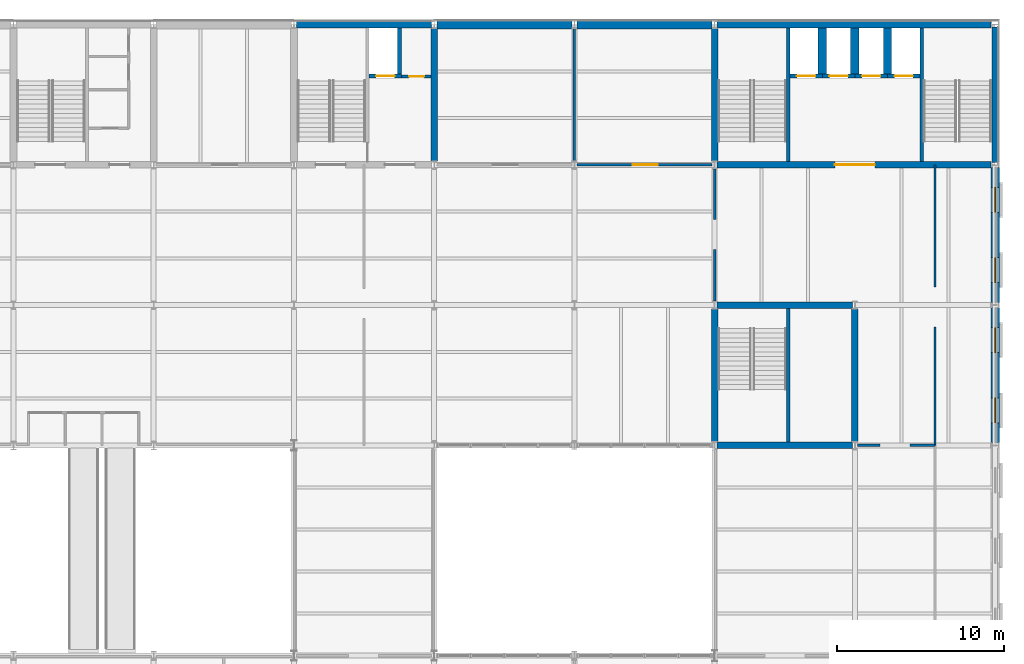
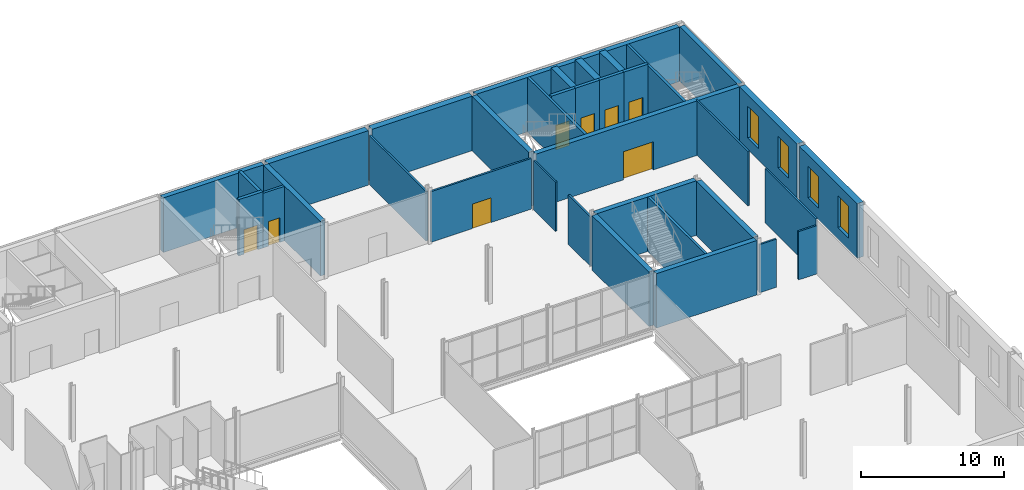
# One storey, part 34 of 52: 35 walls, 8 doors, 4 windows, 12 openings.
"""IFC4 building model written with IfcOpenShell, lengths in metres."""

from ifc_helpers import new_model, si_unit, direction, frame, frame_2d, origin, place, context, subcontext, project, spatial, rectangle, extrude, material, layer, layer_set, type_object, element, fill, save


model = new_model("IFC4")

# Units and contexts
model_context = context("Model", 3, precision=1e-05, world=origin(), true_north=direction((0.0, 1.0)))
body_context = subcontext(model_context, "Body", "Model", "MODEL_VIEW")
ifc_project = project(units=[si_unit("LENGTHUNIT", "METRE"), si_unit("AREAUNIT", "SQUARE_METRE"), si_unit("VOLUMEUNIT", "CUBIC_METRE"), si_unit("PLANEANGLEUNIT", "RADIAN"), si_unit("MASSUNIT", "GRAM", prefix="KILO")], contexts=[model_context])

# Site, building, storey
site_placement = place(None, origin())
site = spatial("IfcSite", under=ifc_project, at=site_placement, CompositionType="ELEMENT")
building_placement = place(site_placement, origin())
building = spatial("IfcBuilding", under=site, at=building_placement, Name="Galleria Vessillo Department Store", CompositionType="ELEMENT")
storey_placement = place(building_placement, frame((0.0, 0.0, 16.199951171875)))
storey = spatial("IfcBuildingStorey", under=building, at=storey_placement, Name="L03", CompositionType="ELEMENT", Elevation=16.199951171875)

# Walls
ifc_material_1 = material(Name="Solid clay block masonry", Category="masonry")
ifc_layer_1 = layer(ifc_material_1, 0.5)
ifc_layer_set_1 = layer_set([ifc_layer_1], Name="Solid clay block masonry")
wall_type_1 = type_object("IfcWallType", Name="Lift shaft partition wall 500 mm", PredefinedType="SOLIDWALL", material=ifc_layer_set_1)
for number, where, z_axis, x_axis, name in (
    (1, (107.25, 62.800048828125, 0.0), (0.0, 0.0, 1.0), (0.0, -1.0, 0.0), "Lift shaft partition wall T1 L03"),
    (2, (109.199951171875, 62.800048828125, 0.0), (0.0, 0.0, 1.0), (0.0, -1.0, 0.0), "Lift shaft partition wall T2 L03"),
    (3, (111.14990234375, 62.800048828125, 0.0), (0.0, 0.0, 1.0), (0.0, -1.0, 0.0), "Lift shaft partition wall T3 L03"),
):
    element("IfcWall", number, at=place(storey_placement, frame(where, z_axis=z_axis, x_axis=x_axis)), inside=storey, type_object=wall_type_1, Name=name, PredefinedType="SOLIDWALL", context=body_context, shape_type="SweptSolid", body=[
        extrude(rectangle(XDim=2.75, YDim=0.5, at=frame_2d((1.375, 0.0))), origin(), (0.0, 0.0, 1.0), 4.800048828125),
    ])

# Wall, opening, door
ifc_material_2 = material(Name="Solid clay block masonry", Category="masonry")
ifc_layer_2 = layer(ifc_material_2, 0.25)
ifc_layer_set_2 = layer_set([ifc_layer_2], Name="Solid clay block masonry")
wall_type_2 = type_object("IfcWallType", Name="Lift shaft wall 250 mm", PredefinedType="SOLIDWALL", material=ifc_layer_set_2)
wall_1_placement = place(storey_placement, frame((80.10009765625, 59.925048828125, 0.0), z_axis=(0.0, 0.0, 1.0), x_axis=(1.0, 0.0, 0.0)))
wall_1 = element("IfcWall", 4, at=wall_1_placement, inside=storey, type_object=wall_type_2, Name="Lift shaft wall LP6 landing side L03", PredefinedType="SOLIDWALL", context=body_context, shape_type="SweptSolid", body=[
    extrude(rectangle(XDim=1.949951171875, YDim=0.25, at=frame_2d((0.97509765625, 0.0))), origin(), (0.0, 0.0, 1.0), 4.800048828125),
])
opening_1_placement = place(wall_1_placement, frame((0.4248046875, 0.0, 0.0)))
opening_1 = element("IfcOpeningElement", 5, at=opening_1_placement, cuts=wall_1, Name="Opening LD046", PredefinedType="OPENING", context=body_context, shape_type="SweptSolid", body=[
    extrude(rectangle(XDim=1.10009765625, YDim=2.10009765625, at=frame_2d((0.550048828125, 1.050048828125))), frame((0.0, 0.135009765625, 0.0), z_axis=(0.0, -1.0, 0.0), x_axis=(1.0, 0.0, 0.0)), (0.0, 0.0, 1.0), 0.27001953125),
])
ifc_material_3 = material(Name="Stainless steel lift door panel", Category="steel")
door_type_1 = type_object("IfcDoorType", Name="Lift landing door LD110 sliding 1100 x 2100", OperationType="SLIDING_TO_LEFT", PredefinedType="DOOR", material=ifc_material_3)
door_1_placement = place(opening_1_placement, frame((1.10009765625, 0.0, 0.0), z_axis=(0.0, 0.0, 1.0), x_axis=(-1.0, 0.0, 0.0)))
door_1 = element("IfcDoor", 6, at=door_1_placement, inside=storey, type_object=door_type_1, Name="Lift landing door LP6 L03", OperationType="SLIDING_TO_RIGHT", OverallHeight=2.10009765625, OverallWidth=1.10009765625, PredefinedType="DOOR", context=body_context, shape_type="SweptSolid", body=[
    extrude(rectangle(XDim=1.10009765625, YDim=2.10009765625, at=frame_2d((0.550048828125, 1.050048828125))), frame((0.0, 0.02490234375, 0.0), z_axis=(0.0, -1.0, 0.0), x_axis=(1.0, 0.0, 0.0)), (0.0, 0.0, 1.0), 0.050048828125),
])
fill(opening_1, door_1)

# Wall
wall_2_placement = place(storey_placement, frame((81.925048828125, 62.800048828125, 0.0), z_axis=(0.0, 0.0, 1.0), x_axis=(0.0, -1.0, 0.0)))
element("IfcWall", 7, at=wall_2_placement, inside=storey, type_object=wall_type_2, Name="Lift shaft wall LP6 L03", PredefinedType="SOLIDWALL", context=body_context, shape_type="SweptSolid", body=[
    extrude(rectangle(XDim=2.75, YDim=0.25, at=frame_2d((1.375, 0.0))), origin(), (0.0, 0.0, 1.0), 4.800048828125),
])

# Wall, opening, door
wall_3_placement = place(storey_placement, frame((105.300048828125, 59.925048828125, 0.0), z_axis=(0.0, 0.0, 1.0), x_axis=(1.0, 0.0, 0.0)))
wall_3 = element("IfcWall", 8, at=wall_3_placement, inside=storey, type_object=wall_type_2, Name="Lift shaft wall T1 landing side L03", PredefinedType="SOLIDWALL", context=body_context, shape_type="SweptSolid", body=[
    extrude(rectangle(XDim=1.949951171875, YDim=0.25, at=frame_2d((0.97509765625, 0.0))), origin(), (0.0, 0.0, 1.0), 4.800048828125),
])
opening_2_placement = place(wall_3_placement, frame((0.4248046875, 0.0, 0.0)))
opening_2 = element("IfcOpeningElement", 9, at=opening_2_placement, cuts=wall_3, Name="Opening LD085", PredefinedType="OPENING", context=body_context, shape_type="SweptSolid", body=[
    extrude(rectangle(XDim=1.10009765625, YDim=2.10009765625, at=frame_2d((0.550048828125, 1.050048828125))), frame((0.0, 0.135009765625, 0.0), z_axis=(0.0, -1.0, 0.0), x_axis=(1.0, 0.0, 0.0)), (0.0, 0.0, 1.0), 0.27001953125),
])
door_2_placement = place(opening_2_placement, frame((1.10009765625, 0.0, 0.0), z_axis=(0.0, 0.0, 1.0), x_axis=(-1.0, 0.0, 0.0)))
door_2 = element("IfcDoor", 10, at=door_2_placement, inside=storey, type_object=door_type_1, Name="Lift landing door T1 L03", OperationType="SLIDING_TO_RIGHT", OverallHeight=2.10009765625, OverallWidth=1.10009765625, PredefinedType="DOOR", context=body_context, shape_type="SweptSolid", body=[
    extrude(rectangle(XDim=1.10009765625, YDim=2.10009765625, at=frame_2d((0.550048828125, 1.050048828125))), frame((0.0, 0.02490234375, 0.0), z_axis=(0.0, -1.0, 0.0), x_axis=(1.0, 0.0, 0.0)), (0.0, 0.0, 1.0), 0.050048828125),
])
fill(opening_2, door_2)

wall_4_placement = place(storey_placement, frame((107.25, 59.925048828125, 0.0), z_axis=(0.0, 0.0, 1.0), x_axis=(1.0, 0.0, 0.0)))
wall_4 = element("IfcWall", 11, at=wall_4_placement, inside=storey, type_object=wall_type_2, Name="Lift shaft wall T2 landing side L03", PredefinedType="SOLIDWALL", context=body_context, shape_type="SweptSolid", body=[
    extrude(rectangle(XDim=1.949951171875, YDim=0.25, at=frame_2d((0.97509765625, 0.0))), origin(), (0.0, 0.0, 1.0), 4.800048828125),
])
opening_3_placement = place(wall_4_placement, frame((0.425048828125, 0.0, 0.0)))
opening_3 = element("IfcOpeningElement", 12, at=opening_3_placement, cuts=wall_4, Name="Opening LD086", PredefinedType="OPENING", context=body_context, shape_type="SweptSolid", body=[
    extrude(rectangle(XDim=1.10009765625, YDim=2.10009765625, at=frame_2d((0.550048828125, 1.050048828125))), frame((0.0, 0.135009765625, 0.0), z_axis=(0.0, -1.0, 0.0), x_axis=(1.0, 0.0, 0.0)), (0.0, 0.0, 1.0), 0.27001953125),
])
door_3_placement = place(opening_3_placement, frame((1.10009765625, 0.0, 0.0), z_axis=(0.0, 0.0, 1.0), x_axis=(-1.0, 0.0, 0.0)))
door_3 = element("IfcDoor", 13, at=door_3_placement, inside=storey, type_object=door_type_1, Name="Lift landing door T2 L03", OperationType="SLIDING_TO_RIGHT", OverallHeight=2.10009765625, OverallWidth=1.10009765625, PredefinedType="DOOR", context=body_context, shape_type="SweptSolid", body=[
    extrude(rectangle(XDim=1.10009765625, YDim=2.10009765625, at=frame_2d((0.550048828125, 1.050048828125))), frame((0.0, 0.02490234375, 0.0), z_axis=(0.0, -1.0, 0.0), x_axis=(1.0, 0.0, 0.0)), (0.0, 0.0, 1.0), 0.050048828125),
])
fill(opening_3, door_3)

wall_5_placement = place(storey_placement, frame((109.199951171875, 59.925048828125, 0.0), z_axis=(0.0, 0.0, 1.0), x_axis=(1.0, 0.0, 0.0)))
wall_5 = element("IfcWall", 14, at=wall_5_placement, inside=storey, type_object=wall_type_2, Name="Lift shaft wall T3 landing side L03", PredefinedType="SOLIDWALL", context=body_context, shape_type="SweptSolid", body=[
    extrude(rectangle(XDim=1.949951171875, YDim=0.25, at=frame_2d((0.97509765625, 0.0))), origin(), (0.0, 0.0, 1.0), 4.800048828125),
])
opening_4_placement = place(wall_5_placement, frame((0.425048828125, 0.0, 0.0)))
opening_4 = element("IfcOpeningElement", 15, at=opening_4_placement, cuts=wall_5, Name="Opening LD087", PredefinedType="OPENING", context=body_context, shape_type="SweptSolid", body=[
    extrude(rectangle(XDim=1.10009765625, YDim=2.10009765625, at=frame_2d((0.550048828125, 1.050048828125))), frame((0.0, 0.135009765625, 0.0), z_axis=(0.0, -1.0, 0.0), x_axis=(1.0, 0.0, 0.0)), (0.0, 0.0, 1.0), 0.27001953125),
])
door_4_placement = place(opening_4_placement, frame((1.10009765625, 0.0, 0.0), z_axis=(0.0, 0.0, 1.0), x_axis=(-1.0, 0.0, 0.0)))
door_4 = element("IfcDoor", 16, at=door_4_placement, inside=storey, type_object=door_type_1, Name="Lift landing door T3 L03", OperationType="SLIDING_TO_RIGHT", OverallHeight=2.10009765625, OverallWidth=1.10009765625, PredefinedType="DOOR", context=body_context, shape_type="SweptSolid", body=[
    extrude(rectangle(XDim=1.10009765625, YDim=2.10009765625, at=frame_2d((0.550048828125, 1.050048828125))), frame((0.0, 0.02490234375, 0.0), z_axis=(0.0, -1.0, 0.0), x_axis=(1.0, 0.0, 0.0)), (0.0, 0.0, 1.0), 0.050048828125),
])
fill(opening_4, door_4)

wall_6_placement = place(storey_placement, frame((111.14990234375, 59.925048828125, 0.0), z_axis=(0.0, 0.0, 1.0), x_axis=(1.0, 0.0, 0.0)))
wall_6 = element("IfcWall", 17, at=wall_6_placement, inside=storey, type_object=wall_type_2, Name="Lift shaft wall T4 landing side L03", PredefinedType="SOLIDWALL", context=body_context, shape_type="SweptSolid", body=[
    extrude(rectangle(XDim=1.9501953125, YDim=0.25, at=frame_2d((0.97509765625, 0.0))), origin(), (0.0, 0.0, 1.0), 4.800048828125),
])
opening_5_placement = place(wall_6_placement, frame((0.425048828125, 0.0, 0.0)))
opening_5 = element("IfcOpeningElement", 18, at=opening_5_placement, cuts=wall_6, Name="Opening LD088", PredefinedType="OPENING", context=body_context, shape_type="SweptSolid", body=[
    extrude(rectangle(XDim=1.10009765625, YDim=2.10009765625, at=frame_2d((0.550048828125, 1.050048828125))), frame((0.0, 0.135009765625, 0.0), z_axis=(0.0, -1.0, 0.0), x_axis=(1.0, 0.0, 0.0)), (0.0, 0.0, 1.0), 0.27001953125),
])
door_5_placement = place(opening_5_placement, frame((1.10009765625, 0.0, 0.0), z_axis=(0.0, 0.0, 1.0), x_axis=(-1.0, 0.0, 0.0)))
door_5 = element("IfcDoor", 19, at=door_5_placement, inside=storey, type_object=door_type_1, Name="Lift landing door T4 L03", OperationType="SLIDING_TO_LEFT", OverallHeight=2.10009765625, OverallWidth=1.10009765625, PredefinedType="DOOR", context=body_context, shape_type="SweptSolid", body=[
    extrude(rectangle(XDim=1.10009765625, YDim=2.10009765625, at=frame_2d((0.550048828125, 1.050048828125))), frame((0.0, 0.02490234375, 0.0), z_axis=(0.0, -1.0, 0.0), x_axis=(1.0, 0.0, 0.0)), (0.0, 0.0, 1.0), 0.050048828125),
])
fill(opening_5, door_5)

# Wall, openings, windows
ifc_material_4 = material(Name="Reinforced masonry, limestone units 80 MPa", Category="masonry")
ifc_layer_3 = layer(ifc_material_4, 0.5)
ifc_layer_set_3 = layer_set([ifc_layer_3], Name="Reinforced masonry, limestone units 80 MPa")
wall_type_3 = type_object("IfcWallType", Name="Load-bearing limestone-faced wall 500 mm", PredefinedType="STANDARD", material=ifc_layer_set_3)
wall_7_placement = place(storey_placement, frame((117.60009765625, 37.95361328125, 0.0), z_axis=(0.0, 0.0, 1.0), x_axis=(0.0, 1.0, 0.0)))
wall_7 = element("IfcWall", 20, at=wall_7_placement, inside=storey, type_object=wall_type_3, Name="Load-bearing limestone-faced wall 500 mm SE-L03-04", PredefinedType="STANDARD", context=body_context, shape_type="SweptSolid", body=[
    extrude(rectangle(XDim=8.0927734375, YDim=0.5, at=frame_2d((4.04638671875, 0.0))), origin(), (0.0, 0.0, 1.0), 4.650146484375),
])
opening_6_placement = place(wall_7_placement, frame((1.1962890625, 0.0, 1.0)))
opening_6 = element("IfcOpeningElement", 21, at=opening_6_placement, cuts=wall_7, Name="Opening W035", PredefinedType="OPENING", context=body_context, shape_type="SweptSolid", body=[
    extrude(rectangle(XDim=1.5, YDim=2.699951171875, at=frame_2d((0.75, 1.35009765625))), frame((0.0, 0.260009765625, 0.0), z_axis=(0.0, -1.0, 0.0), x_axis=(1.0, 0.0, 0.0)), (0.0, 0.0, 1.0), 0.52001953125),
])
opening_7_placement = place(wall_7_placement, frame((5.396484375, 0.0, 1.0)))
opening_7 = element("IfcOpeningElement", 22, at=opening_7_placement, cuts=wall_7, Name="Opening W036", PredefinedType="OPENING", context=body_context, shape_type="SweptSolid", body=[
    extrude(rectangle(XDim=1.5, YDim=2.699951171875, at=frame_2d((0.75, 1.35009765625))), frame((0.0, 0.260009765625, 0.0), z_axis=(0.0, -1.0, 0.0), x_axis=(1.0, 0.0, 0.0)), (0.0, 0.0, 1.0), 0.52001953125),
])
ifc_material_5 = material(Name="Aluminium frame with laminated glass 44.2", Category="aluminium")
window_type = type_object("IfcWindowType", Name="Second order window 1500 x 2700", PartitioningType="SINGLE_PANEL", PredefinedType="WINDOW", material=ifc_material_5)
window_1_placement = place(opening_6_placement, origin())
window_1 = element("IfcWindow", 23, at=window_1_placement, inside=storey, type_object=window_type, Name="E-WIN-SE-L03-04-035", OverallHeight=2.699951171875, OverallWidth=1.5, PartitioningType="SINGLE_PANEL", PredefinedType="WINDOW", context=body_context, shape_type="SweptSolid", body=[
    extrude(rectangle(XDim=1.5, YDim=2.699951171875, at=frame_2d((0.75, 1.35009765625))), frame((0.0, 0.030029296875, 0.0), z_axis=(0.0, -1.0, 0.0), x_axis=(1.0, 0.0, 0.0)), (0.0, 0.0, 1.0), 0.06005859375),
])
fill(opening_6, window_1)
window_2_placement = place(opening_7_placement, origin())
window_2 = element("IfcWindow", 24, at=window_2_placement, inside=storey, type_object=window_type, Name="E-WIN-SE-L03-04-036", OverallHeight=2.699951171875, OverallWidth=1.5, PartitioningType="SINGLE_PANEL", PredefinedType="WINDOW", context=body_context, shape_type="SweptSolid", body=[
    extrude(rectangle(XDim=1.5, YDim=2.699951171875, at=frame_2d((0.75, 1.35009765625))), frame((0.0, 0.030029296875, 0.0), z_axis=(0.0, -1.0, 0.0), x_axis=(1.0, 0.0, 0.0)), (0.0, 0.0, 1.0), 0.06005859375),
])
fill(opening_7, window_2)

wall_8_placement = place(storey_placement, frame((117.60009765625, 46.353515625, 0.0), z_axis=(0.0, 0.0, 1.0), x_axis=(0.0, 1.0, 0.0)))
wall_8 = element("IfcWall", 25, at=wall_8_placement, inside=storey, type_object=wall_type_3, Name="Load-bearing limestone-faced wall 500 mm SE-L03-05", PredefinedType="STANDARD", context=body_context, shape_type="SweptSolid", body=[
    extrude(rectangle(XDim=8.093017578125, YDim=0.5, at=frame_2d((4.04638671875, 0.0))), origin(), (0.0, 0.0, 1.0), 4.650146484375),
])
opening_8_placement = place(wall_8_placement, frame((1.196533203125, 0.0, 1.0)))
opening_8 = element("IfcOpeningElement", 26, at=opening_8_placement, cuts=wall_8, Name="Opening W037", PredefinedType="OPENING", context=body_context, shape_type="SweptSolid", body=[
    extrude(rectangle(XDim=1.5, YDim=2.699951171875, at=frame_2d((0.75, 1.35009765625))), frame((0.0, 0.260009765625, 0.0), z_axis=(0.0, -1.0, 0.0), x_axis=(1.0, 0.0, 0.0)), (0.0, 0.0, 1.0), 0.52001953125),
])
opening_9_placement = place(wall_8_placement, frame((5.396484375, 0.0, 1.0)))
opening_9 = element("IfcOpeningElement", 27, at=opening_9_placement, cuts=wall_8, Name="Opening W038", PredefinedType="OPENING", context=body_context, shape_type="SweptSolid", body=[
    extrude(rectangle(XDim=1.5, YDim=2.699951171875, at=frame_2d((0.75, 1.35009765625))), frame((0.0, 0.260009765625, 0.0), z_axis=(0.0, -1.0, 0.0), x_axis=(1.0, 0.0, 0.0)), (0.0, 0.0, 1.0), 0.52001953125),
])
window_3_placement = place(opening_8_placement, origin())
window_3 = element("IfcWindow", 28, at=window_3_placement, inside=storey, type_object=window_type, Name="E-WIN-SE-L03-05-037", OverallHeight=2.699951171875, OverallWidth=1.5, PartitioningType="SINGLE_PANEL", PredefinedType="WINDOW", context=body_context, shape_type="SweptSolid", body=[
    extrude(rectangle(XDim=1.5, YDim=2.699951171875, at=frame_2d((0.75, 1.35009765625))), frame((0.0, 0.030029296875, 0.0), z_axis=(0.0, -1.0, 0.0), x_axis=(1.0, 0.0, 0.0)), (0.0, 0.0, 1.0), 0.06005859375),
])
fill(opening_8, window_3)
window_4_placement = place(opening_9_placement, origin())
window_4 = element("IfcWindow", 29, at=window_4_placement, inside=storey, type_object=window_type, Name="E-WIN-SE-L03-05-038", OverallHeight=2.699951171875, OverallWidth=1.5, PartitioningType="SINGLE_PANEL", PredefinedType="WINDOW", context=body_context, shape_type="SweptSolid", body=[
    extrude(rectangle(XDim=1.5, YDim=2.699951171875, at=frame_2d((0.75, 1.35009765625))), frame((0.0, 0.030029296875, 0.0), z_axis=(0.0, -1.0, 0.0), x_axis=(1.0, 0.0, 0.0)), (0.0, 0.0, 1.0), 0.06005859375),
])
fill(opening_9, window_4)

# Wall
ifc_material_6 = material(Name="Concrete C32/40 reinforced", Category="concrete")
ifc_layer_4 = layer(ifc_material_6, 0.39990234375)
ifc_layer_set_4 = layer_set([ifc_layer_4], Name="Concrete C32/40 reinforced")
wall_type_4 = type_object("IfcWallType", Name="Reinforced concrete core wall 400 mm", PredefinedType="SHEAR", material=ifc_layer_set_4)
wall_9_placement = place(storey_placement, frame((84.0, 54.839111328125, 0.0), z_axis=(0.0, 0.0, 1.0), x_axis=(0.0, 1.0, 0.0)))
element("IfcWall", 30, at=wall_9_placement, inside=storey, type_object=wall_type_4, Name="S-CW-PC-NE-EAST-L03", PredefinedType="SHEAR", context=body_context, shape_type="SweptSolid", body=[
    extrude(rectangle(XDim=7.921875, YDim=0.39990234375, at=frame_2d((3.9609375, 0.0))), origin(), (0.0, 0.0, 1.0), 4.650146484375),
])

# Wall, opening, door
wall_10_placement = place(storey_placement, frame((100.95361328125, 54.60009765625, 0.0), z_axis=(0.0, 0.0, 1.0), x_axis=(1.0, 0.0, 0.0)))
wall_10 = element("IfcWall", 31, at=wall_10_placement, inside=storey, type_object=wall_type_4, Name="S-CW-TC-INTERIOR-L03", PredefinedType="SHEAR", context=body_context, shape_type="SweptSolid", body=[
    extrude(rectangle(XDim=16.407470703125, YDim=0.39990234375, at=frame_2d((8.20361328125, 0.0))), origin(), (0.0, 0.0, 1.0), 4.650146484375),
])
opening_10_placement = place(wall_10_placement, frame((7.04638671875, 0.0, 0.0)))
opening_10 = element("IfcOpeningElement", 32, at=opening_10_placement, cuts=wall_10, Name="Opening D5267", PredefinedType="OPENING", context=body_context, shape_type="SweptSolid", body=[
    extrude(rectangle(XDim=2.39990234375, YDim=2.39990234375, at=frame_2d((1.199951171875, 1.199951171875))), frame((0.0, 0.2099609375, 0.0), z_axis=(0.0, -1.0, 0.0), x_axis=(1.0, 0.0, 0.0)), (0.0, 0.0, 1.0), 0.419921875),
])
ifc_material_7 = material(Name="Fire-rated steel door leaf", Category="steel")
door_type_2 = type_object("IfcDoorType", Name="Door D240F double leaf 2400 x 2400", OperationType="DOUBLE_DOOR_SINGLE_SWING", PredefinedType="DOOR", material=ifc_material_7)
door_6_placement = place(opening_10_placement, origin())
door_6 = element("IfcDoor", 33, at=door_6_placement, inside=storey, type_object=door_type_2, Name="Lobby door TC-LOBBY-FLOOR L03", OperationType="DOUBLE_DOOR_SINGLE_SWING", OverallHeight=2.39990234375, OverallWidth=2.39990234375, PredefinedType="DOOR", context=body_context, shape_type="SweptSolid", body=[
    extrude(rectangle(XDim=2.39990234375, YDim=2.39990234375, at=frame_2d((1.199951171875, 1.199951171875))), frame((0.0, 0.02490234375, 0.0), z_axis=(0.0, -1.0, 0.0), x_axis=(1.0, 0.0, 0.0)), (0.0, 0.0, 1.0), 0.050048828125),
])
fill(opening_10, door_6)

# Walls
wall_11_placement = place(storey_placement, frame((100.800048828125, 54.839111328125, 0.0), z_axis=(0.0, 0.0, 1.0), x_axis=(0.0, 1.0, 0.0)))
element("IfcWall", 34, at=wall_11_placement, inside=storey, type_object=wall_type_4, Name="S-CW-TC-WEST-L03", PredefinedType="SHEAR", context=body_context, shape_type="SweptSolid", body=[
    extrude(rectangle(XDim=7.921875, YDim=0.39990234375, at=frame_2d((3.9609375, 0.0))), origin(), (0.0, 0.0, 1.0), 4.650146484375),
])
for number, where, z_axis, x_axis, name in (
    (35, (100.95361328125, 37.800048828125, 0.0), (0.0, 0.0, 1.0), (1.0, 0.0, 0.0), "S-CW-TS-PARTY-L03"),
    (36, (100.95361328125, 46.199951171875, 0.0), (0.0, 0.0, 1.0), (1.0, 0.0, 0.0), "S-CW-TS-INTERIOR-L03"),
):
    element("IfcWall", number, at=place(storey_placement, frame(where, z_axis=z_axis, x_axis=x_axis)), inside=storey, type_object=wall_type_4, Name=name, PredefinedType="SHEAR", context=body_context, shape_type="SweptSolid", body=[
        extrude(rectangle(XDim=8.0927734375, YDim=0.39990234375, at=frame_2d((4.04638671875, 0.0))), origin(), (0.0, 0.0, 1.0), 4.650146484375),
    ])
for number, where, z_axis, x_axis, name in (
    (37, (100.800048828125, 38.0390625, 0.0), (0.0, 0.0, 1.0), (0.0, 1.0, 0.0), "S-CW-TS-WEST-L03"),
    (38, (109.199951171875, 38.0390625, 0.0), (0.0, 0.0, 1.0), (0.0, 1.0, 0.0), "S-CW-TS-EAST-L03"),
):
    element("IfcWall", number, at=place(storey_placement, frame(where, z_axis=z_axis, x_axis=x_axis)), inside=storey, type_object=wall_type_4, Name=name, PredefinedType="SHEAR", context=body_context, shape_type="SweptSolid", body=[
        extrude(rectangle(XDim=7.921875, YDim=0.39990234375, at=frame_2d((3.9609375, 0.0))), origin(), (0.0, 0.0, 1.0), 4.650146484375),
    ])
ifc_material_8 = material(Name="Concrete C32/40 reinforced", Category="concrete")
ifc_layer_5 = layer(ifc_material_8, 0.39990234375)
ifc_layer_set_5 = layer_set([ifc_layer_5], Name="Concrete C32/40 reinforced")
wall_type_5 = type_object("IfcWallType", Name="Reinforced concrete core wall 400 mm, external", PredefinedType="SHEAR", material=ifc_layer_set_5)
wall_12_placement = place(storey_placement, frame((75.75, 63.0, 0.0), z_axis=(0.0, 0.0, 1.0), x_axis=(1.0, 0.0, 0.0)))
element("IfcWall", 39, at=wall_12_placement, inside=storey, type_object=wall_type_5, Name="S-CW-PC-NE-PARTY-L03", PredefinedType="SHEAR", context=body_context, shape_type="SweptSolid", body=[
    extrude(rectangle(XDim=8.096435546875, YDim=0.39990234375, at=frame_2d((4.04833984375, 0.0))), origin(), (0.0, 0.0, 1.0), 4.650146484375),
])
wall_13_placement = place(storey_placement, frame((100.95361328125, 63.0, 0.0), z_axis=(0.0, 0.0, 1.0), x_axis=(1.0, 0.0, 0.0)))
element("IfcWall", 40, at=wall_13_placement, inside=storey, type_object=wall_type_5, Name="S-CW-TC-PARTY-L03", PredefinedType="SHEAR", context=body_context, shape_type="SweptSolid", body=[
    extrude(rectangle(XDim=16.407470703125, YDim=0.39990234375, at=frame_2d((8.20361328125, 0.0))), origin(), (0.0, 0.0, 1.0), 4.650146484375),
])
wall_14_placement = place(storey_placement, frame((117.60009765625, 54.753662109375, 0.0), z_axis=(0.0, 0.0, 1.0), x_axis=(0.0, 1.0, 0.0)))
element("IfcWall", 41, at=wall_14_placement, inside=storey, type_object=wall_type_5, Name="S-CW-TC-EAST-L03", PredefinedType="SHEAR", context=body_context, shape_type="SweptSolid", body=[
    extrude(rectangle(XDim=8.0927734375, YDim=0.39990234375, at=frame_2d((4.04638671875, 0.0))), origin(), (0.0, 0.0, 1.0), 4.650146484375),
])
ifc_material_9 = material(Name="Concrete C32/40 reinforced", Category="concrete")
ifc_layer_6 = layer(ifc_material_9, 0.5)
ifc_layer_set_6 = layer_set([ifc_layer_6], Name="Concrete C32/40 reinforced")
wall_type_6 = type_object("IfcWallType", Name="Reinforced concrete party wall 500 mm", PredefinedType="SHEAR", material=ifc_layer_set_6)
wall_15_placement = place(storey_placement, frame((84.153564453125, 63.0, 0.0), z_axis=(0.0, 0.0, 1.0), x_axis=(1.0, 0.0, 0.0)))
element("IfcWall", 42, at=wall_15_placement, inside=storey, type_object=wall_type_6, Name="S-PN-L03-07", PredefinedType="SHEAR", context=body_context, shape_type="SweptSolid", body=[
    extrude(rectangle(XDim=8.0927734375, YDim=0.5, at=frame_2d((4.04638671875, 0.0))), origin(), (0.0, 0.0, 1.0), 4.650146484375),
])
wall_16_placement = place(storey_placement, frame((92.553466796875, 63.0, 0.0), z_axis=(0.0, 0.0, 1.0), x_axis=(1.0, 0.0, 0.0)))
element("IfcWall", 43, at=wall_16_placement, inside=storey, type_object=wall_type_6, Name="S-PN-L03-08", PredefinedType="SHEAR", context=body_context, shape_type="SweptSolid", body=[
    extrude(rectangle(XDim=8.093017578125, YDim=0.5, at=frame_2d((4.04638671875, 0.0))), origin(), (0.0, 0.0, 1.0), 4.650146484375),
])
ifc_material_10 = material(Name="Concrete C32/40 reinforced", Category="concrete")
ifc_layer_7 = layer(ifc_material_10, 0.199951171875)
ifc_layer_set_7 = layer_set([ifc_layer_7], Name="Concrete C32/40 reinforced")
wall_type_7 = type_object("IfcWallType", Name="Reinforced concrete stair enclosure wall 200 mm", PredefinedType="SHEAR", material=ifc_layer_set_7)
for number, where, z_axis, x_axis, name in (
    (44, (105.199951171875, 62.800048828125, 0.0), (0.0, 0.0, 1.0), (0.0, -1.0, 0.0), "Stair enclosure wall TC L03"),
    (45, (113.199951171875, 62.800048828125, 0.0), (0.0, 0.0, 1.0), (0.0, -1.0, 0.0), "Stair enclosure wall TC L03"),
    (46, (105.199951171875, 38.0, 0.0), (0.0, 0.0, 1.0), (0.0, 1.0, 0.0), "Stair enclosure wall TS L03"),
):
    element("IfcWall", number, at=place(storey_placement, frame(where, z_axis=z_axis, x_axis=x_axis)), inside=storey, type_object=wall_type_7, Name=name, PredefinedType="SHEAR", context=body_context, shape_type="SweptSolid", body=[
        extrude(rectangle(XDim=8.0, YDim=0.199951171875, at=frame_2d((4.0, 0.0))), origin(), (0.0, 0.0, 1.0), 4.650146484375),
    ])

# Wall, opening, door
ifc_material_11 = material(Name="Hollow clay block masonry", Category="masonry")
ifc_layer_8 = layer(ifc_material_11, 0.199951171875)
ifc_layer_set_8 = layer_set([ifc_layer_8], Name="Hollow clay block masonry")
wall_type_8 = type_object("IfcWallType", Name="Riser and service room wall 200 mm", PredefinedType="PARTITIONING", material=ifc_layer_set_8)
wall_17_placement = place(storey_placement, frame((82.050048828125, 59.900146484375, 0.0), z_axis=(0.0, 0.0, 1.0), x_axis=(1.0, 0.0, 0.0)))
wall_17 = element("IfcWall", 47, at=wall_17_placement, inside=storey, type_object=wall_type_8, Name="Riser wall PC-NE-RISER L03", PredefinedType="PARTITIONING", context=body_context, shape_type="SweptSolid", body=[
    extrude(rectangle(XDim=1.75, YDim=0.199951171875, at=frame_2d((0.875, 0.0))), origin(), (0.0, 0.0, 1.0), 4.650146484375),
])
opening_11_placement = place(wall_17_placement, frame((0.449951171875, 0.0, 0.0)))
opening_11 = element("IfcOpeningElement", 48, at=opening_11_placement, cuts=wall_17, Name="Opening D5178", PredefinedType="OPENING", context=body_context, shape_type="SweptSolid", body=[
    extrude(rectangle(XDim=0.89990234375, YDim=2.10009765625, at=frame_2d((0.449951171875, 1.050048828125))), frame((0.0, 0.10986328125, 0.0), z_axis=(0.0, -1.0, 0.0), x_axis=(1.0, 0.0, 0.0)), (0.0, 0.0, 1.0), 0.219970703125),
])
ifc_material_12 = material(Name="Fire-rated steel door leaf", Category="steel")
door_type_3 = type_object("IfcDoorType", Name="Door DR90 riser access 900 x 2100", OperationType="SINGLE_SWING_LEFT", PredefinedType="DOOR", material=ifc_material_12)
door_7_placement = place(opening_11_placement, origin())
door_7 = element("IfcDoor", 49, at=door_7_placement, inside=storey, type_object=door_type_3, Name="Riser door PC-NE-RISER-D L03", OperationType="SINGLE_SWING_RIGHT", OverallHeight=2.10009765625, OverallWidth=0.89990234375, PredefinedType="DOOR", context=body_context, shape_type="SweptSolid", body=[
    extrude(rectangle(XDim=0.89990234375, YDim=2.10009765625, at=frame_2d((0.449951171875, 1.050048828125))), frame((0.0, 0.02490234375, 0.0), z_axis=(0.0, -1.0, 0.0), x_axis=(1.0, 0.0, 0.0)), (0.0, 0.0, 1.0), 0.050048828125),
])
fill(opening_11, door_7)

# Walls
ifc_material_13 = material(Name="Gypsum board partition")
ifc_layer_9 = layer(ifc_material_13, 0.139892578125)
ifc_layer_set_9 = layer_set([ifc_layer_9], Name="Gypsum board partition")
wall_type_9 = type_object("IfcWallType", Name="Sales dividing wall 140 mm", PredefinedType="PARTITIONING", material=ifc_layer_set_9)
wall_18_placement = place(storey_placement, frame((100.800048828125, 46.43896484375, 0.0), z_axis=(0.0, 0.0, 1.0), x_axis=(0.0, 1.0, 0.0)))
element("IfcWall", 50, at=wall_18_placement, inside=storey, type_object=wall_type_9, Name="Partition wall PT3 on L03 no. 072", PredefinedType="PARTITIONING", context=body_context, shape_type="SweptSolid", body=[
    extrude(rectangle(XDim=3.10009765625, YDim=0.139892578125, at=frame_2d((1.550048828125, 0.0))), origin(), (0.0, 0.0, 1.0), 4.210205078125),
])
wall_19_placement = place(storey_placement, frame((100.800048828125, 51.3388671875, 0.0), z_axis=(0.0, 0.0, 1.0), x_axis=(0.0, 1.0, 0.0)))
element("IfcWall", 51, at=wall_19_placement, inside=storey, type_object=wall_type_9, Name="Partition wall PT3 on L03 no. 073", PredefinedType="PARTITIONING", context=body_context, shape_type="SweptSolid", body=[
    extrude(rectangle(XDim=3.022216796875, YDim=0.139892578125, at=frame_2d((1.51123046875, 0.0))), origin(), (0.0, 0.0, 1.0), 4.210205078125),
])
wall_20_placement = place(storey_placement, frame((109.353515625, 37.800048828125, 0.0), z_axis=(0.0, 0.0, 1.0), x_axis=(1.0, 0.0, 0.0)))
element("IfcWall", 52, at=wall_20_placement, inside=storey, type_object=wall_type_9, Name="Partition wall PT3 on L03 no. 074", PredefinedType="PARTITIONING", context=body_context, shape_type="SweptSolid", body=[
    extrude(rectangle(XDim=1.349853515625, YDim=0.139892578125, at=frame_2d((0.6748046875, 0.0))), origin(), (0.0, 0.0, 1.0), 4.110107421875),
])
wall_21_placement = place(storey_placement, frame((112.50341796875, 37.800048828125, 0.0), z_axis=(0.0, 0.0, 1.0), x_axis=(1.0, 0.0, 0.0)))
element("IfcWall", 53, at=wall_21_placement, inside=storey, type_object=wall_type_9, Name="Partition wall PT3 on L03 no. 075", PredefinedType="PARTITIONING", context=body_context, shape_type="SweptSolid", body=[
    extrude(rectangle(XDim=1.49658203125, YDim=0.139892578125, at=frame_2d((0.748291015625, 0.0))), origin(), (0.0, 0.0, 1.0), 4.110107421875),
])
wall_22_placement = place(storey_placement, frame((114.0, 37.800048828125, 0.0), z_axis=(0.0, 0.0, 1.0), x_axis=(0.0, 1.0, 0.0)))
element("IfcWall", 54, at=wall_22_placement, inside=storey, type_object=wall_type_9, Name="Partition wall PT3 on L03 no. 076", PredefinedType="PARTITIONING", context=body_context, shape_type="SweptSolid", body=[
    extrude(rectangle(XDim=7.099853515625, YDim=0.139892578125, at=frame_2d((3.5498046875, 0.0))), origin(), (0.0, 0.0, 1.0), 4.650146484375),
])
wall_23_placement = place(storey_placement, frame((114.0, 47.300048828125, 0.0), z_axis=(0.0, 0.0, 1.0), x_axis=(0.0, 1.0, 0.0)))
element("IfcWall", 55, at=wall_23_placement, inside=storey, type_object=wall_type_9, Name="Partition wall PT3 on L03 no. 077", PredefinedType="PARTITIONING", context=body_context, shape_type="SweptSolid", body=[
    extrude(rectangle(XDim=7.2900390625, YDim=0.139892578125, at=frame_2d((3.64501953125, 0.0))), origin(), (0.0, 0.0, 1.0), 4.650146484375),
])
ifc_material_14 = material(Name="Concrete blockwork", Category="masonry")
ifc_layer_10 = layer(ifc_material_14, 0.14990234375)
ifc_layer_set_10 = layer_set([ifc_layer_10], Name="Concrete blockwork")
wall_type_10 = type_object("IfcWallType", Name="Stockroom blockwork wall 150 mm", PredefinedType="SOLIDWALL", material=ifc_layer_set_10)
wall_24_placement = place(storey_placement, frame((92.39990234375, 54.839111328125, 0.0), z_axis=(0.0, 0.0, 1.0), x_axis=(0.0, 1.0, 0.0)))
element("IfcWall", 56, at=wall_24_placement, inside=storey, type_object=wall_type_10, Name="Partition wall PT4 on L03 no. 033", PredefinedType="SOLIDWALL", context=body_context, shape_type="SweptSolid", body=[
    extrude(rectangle(XDim=7.921875, YDim=0.14990234375, at=frame_2d((3.9609375, 0.0))), origin(), (0.0, 0.0, 1.0), 4.210205078125),
])

# Wall, opening, door
wall_25_placement = place(storey_placement, frame((92.553466796875, 54.60009765625, 0.0), z_axis=(0.0, 0.0, 1.0), x_axis=(1.0, 0.0, 0.0)))
wall_25 = element("IfcWall", 57, at=wall_25_placement, inside=storey, type_object=wall_type_10, Name="Partition wall PT4 on L03 no. 035", PredefinedType="SOLIDWALL", context=body_context, shape_type="SweptSolid", body=[
    extrude(rectangle(XDim=8.093017578125, YDim=0.14990234375, at=frame_2d((4.04638671875, 0.0))), origin(), (0.0, 0.0, 1.0), 4.320068359375),
])
opening_12_placement = place(wall_25_placement, frame((3.35009765625, 0.0, 0.0)))
opening_12 = element("IfcOpeningElement", 58, at=opening_12_placement, cuts=wall_25, Name="Opening D2523", PredefinedType="OPENING", context=body_context, shape_type="SweptSolid", body=[
    extrude(rectangle(XDim=1.5, YDim=2.10009765625, at=frame_2d((0.75, 1.050048828125))), frame((0.0, 0.0849609375, 0.0), z_axis=(0.0, -1.0, 0.0), x_axis=(1.0, 0.0, 0.0)), (0.0, 0.0, 1.0), 0.169921875),
])
ifc_material_15 = material(Name="Steel fire door leaf", Category="steel")
door_type_4 = type_object("IfcDoorType", Name="Stockroom fire door 1500 double leaf", OperationType="DOUBLE_DOOR_SINGLE_SWING", PredefinedType="DOOR", material=ifc_material_15)
door_8_placement = place(opening_12_placement, origin())
door_8 = element("IfcDoor", 59, at=door_8_placement, inside=storey, type_object=door_type_4, Name="Door D2523", OperationType="DOUBLE_DOOR_SINGLE_SWING", OverallHeight=2.10009765625, OverallWidth=1.5, PredefinedType="DOOR", context=body_context, shape_type="SweptSolid", body=[
    extrude(rectangle(XDim=1.5, YDim=2.10009765625, at=frame_2d((0.75, 1.050048828125))), frame((0.0, 0.02490234375, 0.0), z_axis=(0.0, -1.0, 0.0), x_axis=(1.0, 0.0, 0.0)), (0.0, 0.0, 1.0), 0.050048828125),
])
fill(opening_12, door_8)

save(model, "model.ifc")
